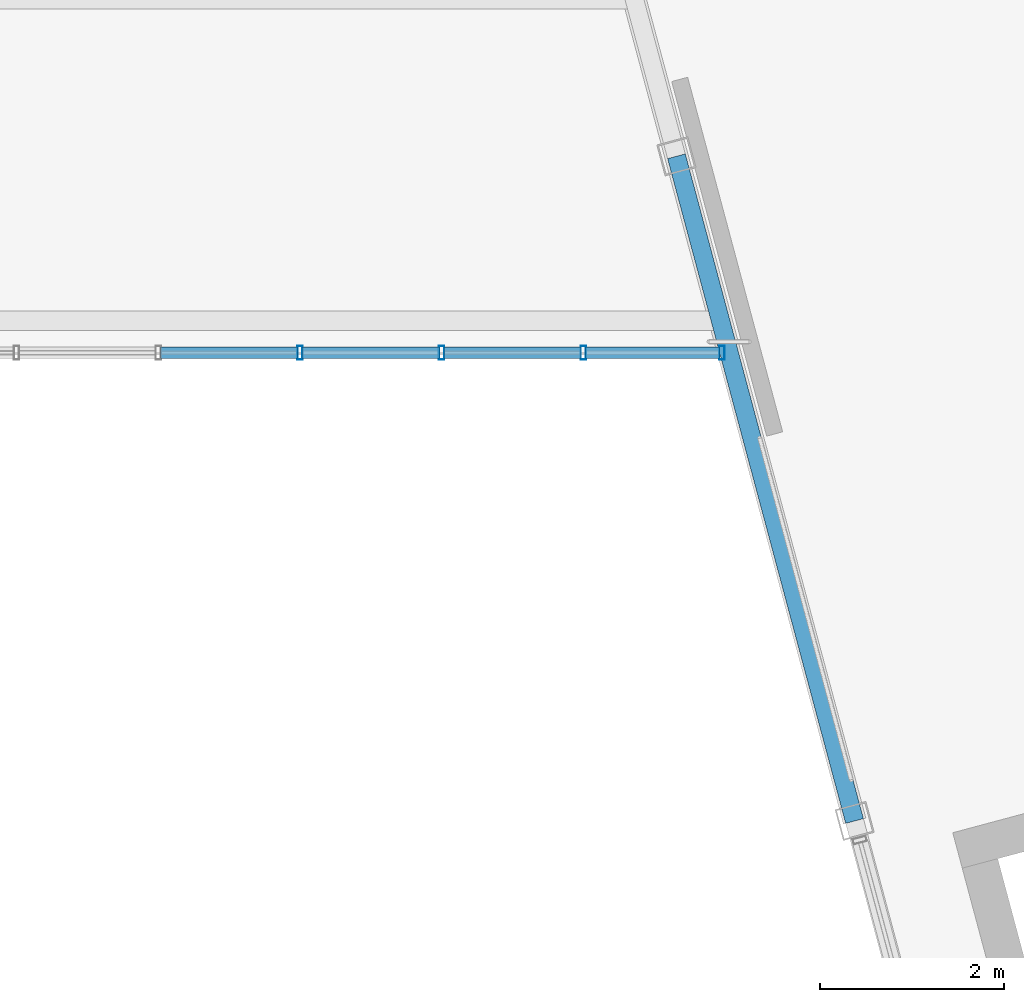
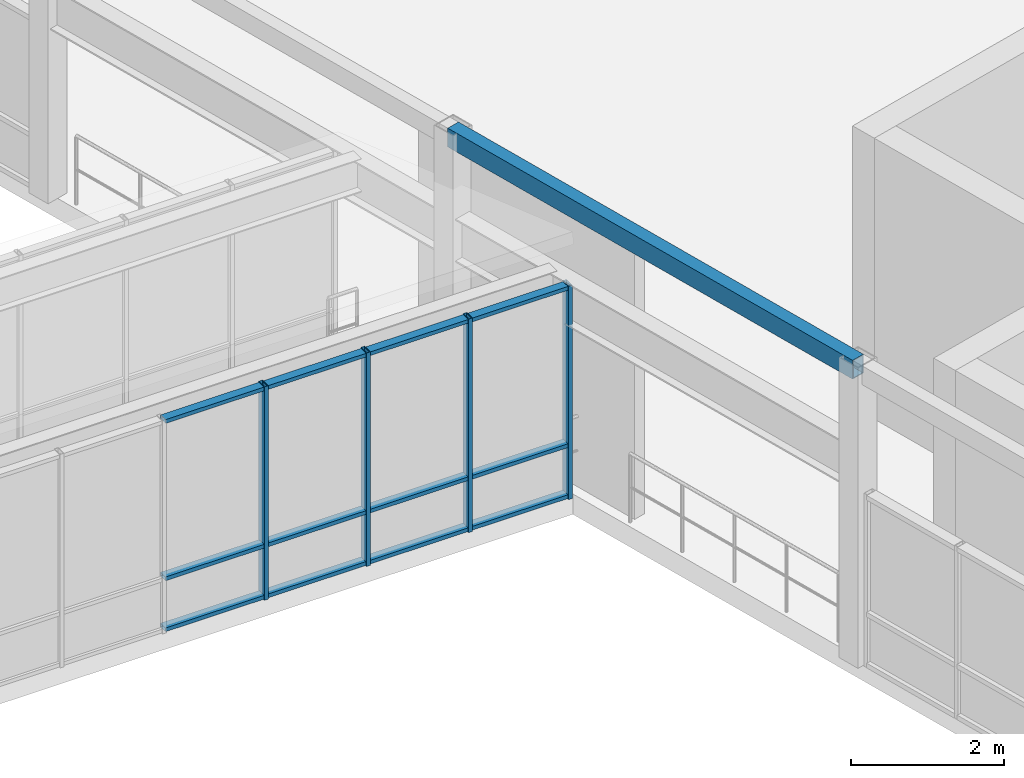
# One storey, part 29 of 99: 16 members, 1 beam, 1 element without a shape of its own.
"""IFC4 building model written with IfcOpenShell, lengths in metres."""

from ifc_helpers import new_model, si_unit, direction, frame, origin, origin_2d, place, context, subcontext, project, spatial, hollow_rectangle, extrude, material, layer, layer_set, material_profile, profile_set, type_object, element, aggregate, save


model = new_model("IFC4")

# Units and contexts
model_context = context("Model", 3, precision=1e-05, world=origin(), true_north=direction((0.0, 1.0)))
body_context = subcontext(model_context, "Body", "Model", "MODEL_VIEW")
ifc_project = project(units=[si_unit("LENGTHUNIT", "METRE"), si_unit("AREAUNIT", "SQUARE_METRE"), si_unit("VOLUMEUNIT", "CUBIC_METRE"), si_unit("PLANEANGLEUNIT", "RADIAN"), si_unit("MASSUNIT", "GRAM", prefix="KILO")], contexts=[model_context])

# Site, building, storey
site_placement = place(None, origin())
site = spatial("IfcSite", under=ifc_project, at=site_placement, CompositionType="ELEMENT")
building_placement = place(site_placement, origin())
building = spatial("IfcBuilding", under=site, at=building_placement, Name="Ventoquebrada Cableway Terminal", CompositionType="ELEMENT")
storey_placement = place(building_placement, frame((0.0, 0.0, 9.60009765625)))
storey = spatial("IfcBuildingStorey", under=building, at=storey_placement, Name="L02", CompositionType="ELEMENT", Elevation=9.60009765625)

# Curtain wall, members
ifc_material_1 = material(Name="Anodized thermally-broken aluminium", Category="aluminium")
ifc_layer = layer(ifc_material_1, 0.159912109375)
ifc_layer_set = layer_set([ifc_layer], Name="Anodized thermally-broken aluminium")
curtain_wall_type = type_object("IfcCurtainWallType", Name="CW-T52", PredefinedType="USERDEFINED", material=ifc_layer_set)
curtain_wall_placement = place(storey_placement, origin())
curtain_wall = element("IfcCurtainWall", 1, at=curtain_wall_placement, inside=storey, type_object=curtain_wall_type, Name="Unitised glazed curtain wall CW-171", ObjectType="UNITISED CURTAIN WALL", PredefinedType="USERDEFINED")
ifc_material_profile_1 = material_profile(ifc_material_1, hollow_rectangle(XDim=0.06005859375, YDim=0.14990234375, WallThickness=0.00390625, at=origin_2d()), Name="CW-MUL-60X150")
ifc_profile_set_1 = profile_set([ifc_material_profile_1], Name="Anodized thermally-broken aluminium")
member_type_1 = type_object("IfcMemberType", Name="CWM-03", PredefinedType="MULLION", material=ifc_profile_set_1)
member_1_placement = place(storey_placement, frame((44.510009765625, 80.199951171875, -0.008056640625), z_axis=(0.0, 0.0, 1.0), x_axis=(1.0, 0.0, 0.0)))
member_1 = element("IfcMember", 2, at=member_1_placement, type_object=member_type_1, Name="Curtain wall mullion FML-0848", PredefinedType="MULLION", context=body_context, shape_type="SweptSolid", body=[
    extrude(hollow_rectangle(XDim=0.06005859375, YDim=0.14990234375, WallThickness=0.00390625, at=origin_2d()), origin(), (0.0, 0.0, 1.0), 3.412841796875),
])
member_2_placement = place(storey_placement, frame((46.053955078125, 80.199951171875, -0.008056640625), z_axis=(0.0, 0.0, 1.0), x_axis=(1.0, 0.0, 0.0)))
member_2 = element("IfcMember", 3, at=member_2_placement, type_object=member_type_1, Name="Curtain wall mullion FML-0849", PredefinedType="MULLION", context=body_context, shape_type="SweptSolid", body=[
    extrude(hollow_rectangle(XDim=0.06005859375, YDim=0.14990234375, WallThickness=0.00390625, at=origin_2d()), origin(), (0.0, 0.0, 1.0), 3.412841796875),
])
member_3_placement = place(storey_placement, frame((47.597900390625, 80.199951171875, -0.008056640625), z_axis=(0.0, 0.0, 1.0), x_axis=(1.0, 0.0, 0.0)))
member_3 = element("IfcMember", 4, at=member_3_placement, type_object=member_type_1, Name="Curtain wall mullion FML-0850", PredefinedType="MULLION", context=body_context, shape_type="SweptSolid", body=[
    extrude(hollow_rectangle(XDim=0.06005859375, YDim=0.14990234375, WallThickness=0.00390625, at=origin_2d()), origin(), (0.0, 0.0, 1.0), 3.412841796875),
])
member_4_placement = place(storey_placement, frame((49.10693359375, 80.199951171875, -0.008056640625), z_axis=(0.0, 0.0, 1.0), x_axis=(1.0, 0.0, 0.0)))
member_4 = element("IfcMember", 5, at=member_4_placement, type_object=member_type_1, Name="Curtain wall mullion FML-0851", PredefinedType="MULLION", context=body_context, shape_type="SweptSolid", body=[
    extrude(hollow_rectangle(XDim=0.06005859375, YDim=0.14990234375, WallThickness=0.00390625, at=origin_2d()), origin(), (0.0, 0.0, 1.0), 3.412841796875),
])
ifc_material_profile_2 = material_profile(ifc_material_1, hollow_rectangle(XDim=0.06005859375, YDim=0.1298828125, WallThickness=0.00390625, at=origin_2d()), Name="CW-TRN-60X130")
ifc_profile_set_2 = profile_set([ifc_material_profile_2], Name="Anodized thermally-broken aluminium")
member_type_2 = type_object("IfcMemberType", Name="CWT-02", PredefinedType="USERDEFINED", material=ifc_profile_set_2)
member_5_placement = place(storey_placement, frame((42.990966796875, 80.199951171875, 0.034912109375), z_axis=(1.0, 0.0, 0.0), x_axis=(0.0, 0.0, 1.0)))
member_5 = element("IfcMember", 6, at=member_5_placement, type_object=member_type_2, Name="Curtain wall transom FTR-2477", ObjectType="TRANSOM", PredefinedType="USERDEFINED", context=body_context, shape_type="SweptSolid", body=[
    extrude(hollow_rectangle(XDim=0.06005859375, YDim=0.1298828125, WallThickness=0.00390625, at=origin_2d()), origin(), (0.0, 0.0, 1.0), 1.494140625),
])
member_6_placement = place(storey_placement, frame((42.990966796875, 80.199951171875, 0.849853515625), z_axis=(1.0, 0.0, 0.0), x_axis=(0.0, 0.0, 1.0)))
member_6 = element("IfcMember", 7, at=member_6_placement, type_object=member_type_2, Name="Curtain wall transom FTR-2478", ObjectType="TRANSOM", PredefinedType="USERDEFINED", context=body_context, shape_type="SweptSolid", body=[
    extrude(hollow_rectangle(XDim=0.06005859375, YDim=0.1298828125, WallThickness=0.00390625, at=origin_2d()), origin(), (0.0, 0.0, 1.0), 1.494140625),
])
member_7_placement = place(storey_placement, frame((42.990966796875, 80.199951171875, 3.364990234375), z_axis=(1.0, 0.0, 0.0), x_axis=(0.0, 0.0, 1.0)))
member_7 = element("IfcMember", 8, at=member_7_placement, type_object=member_type_2, Name="Curtain wall transom FTR-2479", ObjectType="TRANSOM", PredefinedType="USERDEFINED", context=body_context, shape_type="SweptSolid", body=[
    extrude(hollow_rectangle(XDim=0.06005859375, YDim=0.1298828125, WallThickness=0.00390625, at=origin_2d()), origin(), (0.0, 0.0, 1.0), 1.494140625),
])
member_8_placement = place(storey_placement, frame((44.534912109375, 80.199951171875, 0.034912109375), z_axis=(1.0, 0.0, 0.0), x_axis=(0.0, 0.0, 1.0)))
member_8 = element("IfcMember", 9, at=member_8_placement, type_object=member_type_2, Name="Curtain wall transom FTR-2480", ObjectType="TRANSOM", PredefinedType="USERDEFINED", context=body_context, shape_type="SweptSolid", body=[
    extrude(hollow_rectangle(XDim=0.06005859375, YDim=0.1298828125, WallThickness=0.00390625, at=origin_2d()), origin(), (0.0, 0.0, 1.0), 1.494140625),
])
member_9_placement = place(storey_placement, frame((44.534912109375, 80.199951171875, 0.849853515625), z_axis=(1.0, 0.0, 0.0), x_axis=(0.0, 0.0, 1.0)))
member_9 = element("IfcMember", 10, at=member_9_placement, type_object=member_type_2, Name="Curtain wall transom FTR-2481", ObjectType="TRANSOM", PredefinedType="USERDEFINED", context=body_context, shape_type="SweptSolid", body=[
    extrude(hollow_rectangle(XDim=0.06005859375, YDim=0.1298828125, WallThickness=0.00390625, at=origin_2d()), origin(), (0.0, 0.0, 1.0), 1.494140625),
])
member_10_placement = place(storey_placement, frame((44.534912109375, 80.199951171875, 3.364990234375), z_axis=(1.0, 0.0, 0.0), x_axis=(0.0, 0.0, 1.0)))
member_10 = element("IfcMember", 11, at=member_10_placement, type_object=member_type_2, Name="Curtain wall transom FTR-2482", ObjectType="TRANSOM", PredefinedType="USERDEFINED", context=body_context, shape_type="SweptSolid", body=[
    extrude(hollow_rectangle(XDim=0.06005859375, YDim=0.1298828125, WallThickness=0.00390625, at=origin_2d()), origin(), (0.0, 0.0, 1.0), 1.494140625),
])
member_11_placement = place(storey_placement, frame((46.0791015625, 80.199951171875, 0.034912109375), z_axis=(1.0, 0.0, 0.0), x_axis=(0.0, 0.0, 1.0)))
member_11 = element("IfcMember", 12, at=member_11_placement, type_object=member_type_2, Name="Curtain wall transom FTR-2483", ObjectType="TRANSOM", PredefinedType="USERDEFINED", context=body_context, shape_type="SweptSolid", body=[
    extrude(hollow_rectangle(XDim=0.06005859375, YDim=0.1298828125, WallThickness=0.00390625, at=origin_2d()), origin(), (0.0, 0.0, 1.0), 1.493896484375),
])
member_12_placement = place(storey_placement, frame((46.0791015625, 80.199951171875, 0.849853515625), z_axis=(1.0, 0.0, 0.0), x_axis=(0.0, 0.0, 1.0)))
member_12 = element("IfcMember", 13, at=member_12_placement, type_object=member_type_2, Name="Curtain wall transom FTR-2484", ObjectType="TRANSOM", PredefinedType="USERDEFINED", context=body_context, shape_type="SweptSolid", body=[
    extrude(hollow_rectangle(XDim=0.06005859375, YDim=0.1298828125, WallThickness=0.00390625, at=origin_2d()), origin(), (0.0, 0.0, 1.0), 1.493896484375),
])
member_13_placement = place(storey_placement, frame((46.0791015625, 80.199951171875, 3.364990234375), z_axis=(1.0, 0.0, 0.0), x_axis=(0.0, 0.0, 1.0)))
member_13 = element("IfcMember", 14, at=member_13_placement, type_object=member_type_2, Name="Curtain wall transom FTR-2485", ObjectType="TRANSOM", PredefinedType="USERDEFINED", context=body_context, shape_type="SweptSolid", body=[
    extrude(hollow_rectangle(XDim=0.06005859375, YDim=0.1298828125, WallThickness=0.00390625, at=origin_2d()), origin(), (0.0, 0.0, 1.0), 1.493896484375),
])
member_14_placement = place(storey_placement, frame((47.623046875, 80.199951171875, 0.034912109375), z_axis=(1.0, 0.0, 0.0), x_axis=(0.0, 0.0, 1.0)))
member_14 = element("IfcMember", 15, at=member_14_placement, type_object=member_type_2, Name="Curtain wall transom FTR-2486", ObjectType="TRANSOM", PredefinedType="USERDEFINED", context=body_context, shape_type="SweptSolid", body=[
    extrude(hollow_rectangle(XDim=0.06005859375, YDim=0.1298828125, WallThickness=0.00390625, at=origin_2d()), origin(), (0.0, 0.0, 1.0), 1.458984375),
])
member_15_placement = place(storey_placement, frame((47.623046875, 80.199951171875, 0.849853515625), z_axis=(1.0, 0.0, 0.0), x_axis=(0.0, 0.0, 1.0)))
member_15 = element("IfcMember", 16, at=member_15_placement, type_object=member_type_2, Name="Curtain wall transom FTR-2487", ObjectType="TRANSOM", PredefinedType="USERDEFINED", context=body_context, shape_type="SweptSolid", body=[
    extrude(hollow_rectangle(XDim=0.06005859375, YDim=0.1298828125, WallThickness=0.00390625, at=origin_2d()), origin(), (0.0, 0.0, 1.0), 1.458984375),
])
member_16_placement = place(storey_placement, frame((47.623046875, 80.199951171875, 3.364990234375), z_axis=(1.0, 0.0, 0.0), x_axis=(0.0, 0.0, 1.0)))
member_16 = element("IfcMember", 17, at=member_16_placement, type_object=member_type_2, Name="Curtain wall transom FTR-2488", ObjectType="TRANSOM", PredefinedType="USERDEFINED", context=body_context, shape_type="SweptSolid", body=[
    extrude(hollow_rectangle(XDim=0.06005859375, YDim=0.1298828125, WallThickness=0.00390625, at=origin_2d()), origin(), (0.0, 0.0, 1.0), 1.458984375),
])
aggregate(curtain_wall, [member_1, member_2, member_3, member_4, member_5, member_6, member_7, member_8, member_9, member_10, member_11, member_12, member_13, member_14, member_15, member_16])

# Beam
ifc_material_2 = material(Name="Steel ASTM A500 Grade C", Category="steel")
ifc_material_profile_3 = material_profile(ifc_material_2, hollow_rectangle(XDim=0.199951171875, YDim=0.300048828125, WallThickness=0.012451171875, at=origin_2d()), Name="RHS300X200X12.5")
ifc_profile_set_3 = profile_set([ifc_material_profile_3], Name="Steel ASTM A500 Grade C")
beam_type = type_object("IfcBeamType", Name="SP-ST02", PredefinedType="SPANDREL", material=ifc_profile_set_3)
beam_placement = place(storey_placement, frame((50.553955078125, 75.096923828125, 4.64990234375), z_axis=(-0.258801172479, 0.965930615067, 0.0), x_axis=(-0.965930615067, -0.258801172479, 0.0)))
element("IfcBeam", 18, at=beam_placement, inside=storey, type_object=beam_type, Name="Boarding hall perimeter tie beam FBM-1082", PredefinedType="SPANDREL", context=body_context, shape_type="SweptSolid", body=[
    extrude(hollow_rectangle(XDim=0.199951171875, YDim=0.300048828125, WallThickness=0.012451171875, at=origin_2d()), origin(), (0.0, 0.0, 1.0), 7.499755859375),
])

save(model, "model.ifc")
